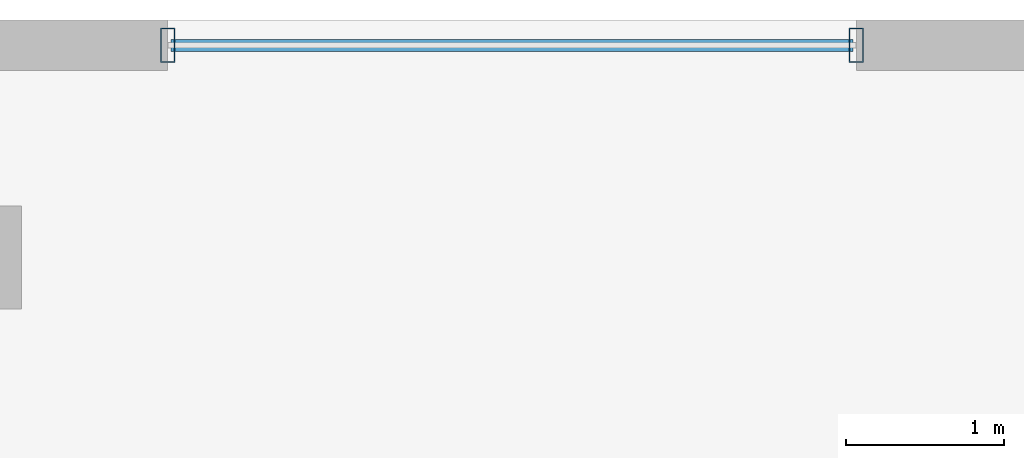
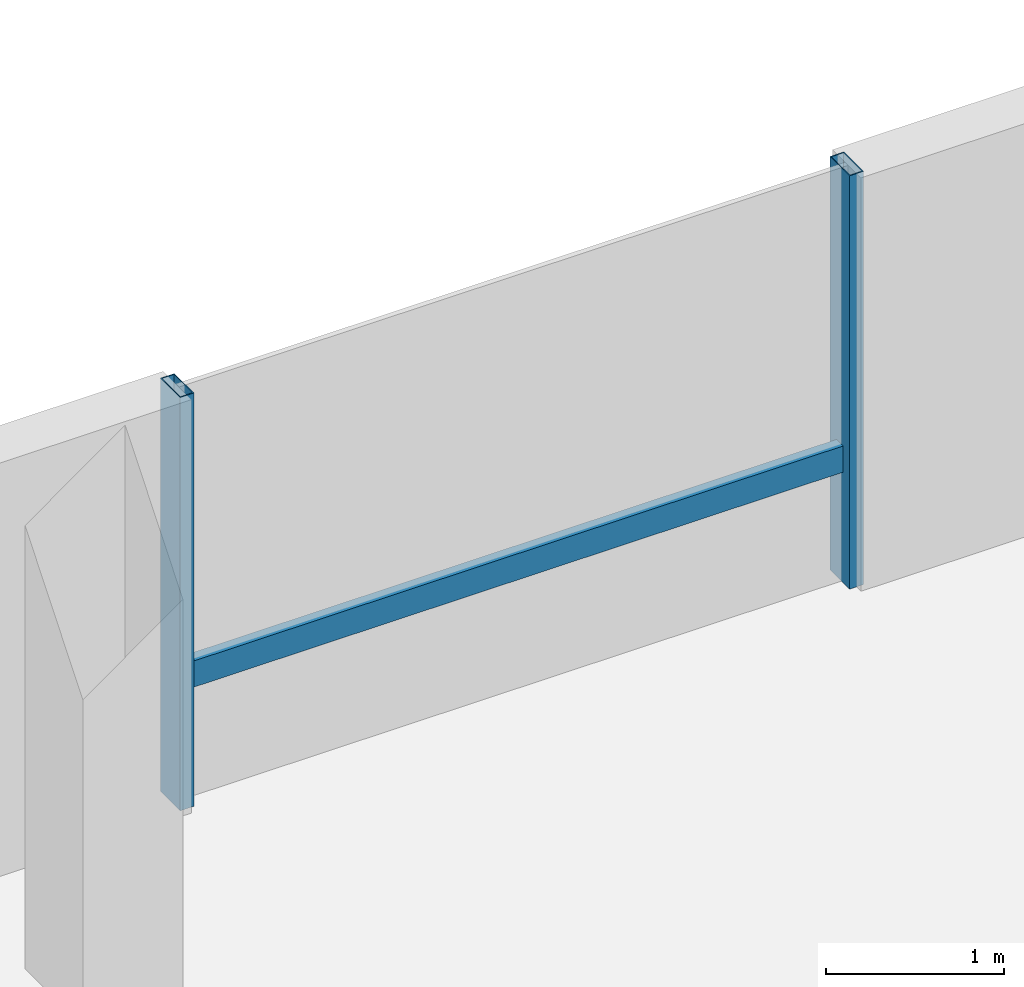
# One storey, part 10 of 25: 3 members, 1 element without a shape of its own.
"""IFC4 building model written with IfcOpenShell, lengths in metres."""

from ifc_helpers import new_model, si_unit, direction, frame, origin, origin_2d, place, context, subcontext, project, spatial, hollow_rectangle, extrude, material, material_profile, profile_set, type_object, element, aggregate, save


model = new_model("IFC4")

# Units and contexts
model_context = context("Model", 3, precision=1e-05, world=origin(), true_north=direction((0.0, 1.0)))
body_context = subcontext(model_context, "Body", "Model", "MODEL_VIEW")
ifc_project = project(units=[si_unit("LENGTHUNIT", "METRE"), si_unit("AREAUNIT", "SQUARE_METRE"), si_unit("VOLUMEUNIT", "CUBIC_METRE"), si_unit("PLANEANGLEUNIT", "RADIAN"), si_unit("MASSUNIT", "GRAM", prefix="KILO")], contexts=[model_context])

# Site, building, storey
site_placement = place(None, origin())
site = spatial("IfcSite", under=ifc_project, at=site_placement, CompositionType="ELEMENT")
building_placement = place(site_placement, origin())
building = spatial("IfcBuilding", under=site, at=building_placement, Name="Thornwick Lancets Civic Towers", CompositionType="ELEMENT")
storey_placement = place(building_placement, frame((0.0, 0.0, 23.10009765625)))
storey = spatial("IfcBuildingStorey", under=building, at=storey_placement, Name="L05", CompositionType="ELEMENT", Elevation=23.10009765625)

# Curtain wall, members
ifc_material_1 = material(Name="Terracotta-trimmed cascading podium ribbon curtain wall", Category="masonry")
curtain_wall_type = type_object("IfcCurtainWallType", Name="CW_SYS_02", PredefinedType="NOTDEFINED", material=ifc_material_1)
curtain_wall_placement = place(storey_placement, origin())
curtain_wall = element("IfcCurtainWall", 1, at=curtain_wall_placement, inside=storey, type_object=curtain_wall_type, Name="L05 Curtain Wall CW-L05-POD-NC-S1", PredefinedType="NOTDEFINED")
ifc_material_2 = material(Name="Thermally broken bronze aluminium S355", Category="steel")
ifc_material_profile_1 = material_profile(ifc_material_2, hollow_rectangle(XDim=0.090087890625, YDim=0.219970703125, WallThickness=0.00634765625, at=origin_2d()), Name="RHS 220x90x6.3")
ifc_profile_set_1 = profile_set([ifc_material_profile_1], Name="Thermally broken bronze aluminium S355")
member_type_1 = type_object("IfcMemberType", Name="CW_MUL_220", PredefinedType="MULLION", material=ifc_profile_set_1)
member_1_placement = place(storey_placement, frame((71.60009765625, 49.340087890625, 0.0), z_axis=(0.0, 0.0, 1.0), x_axis=(1.0, 0.0, 0.0)))
member_1 = element("IfcMember", 2, at=member_1_placement, type_object=member_type_1, Name="CW-L05-POD-NC-S1 Mullion 0", PredefinedType="MULLION", context=body_context, shape_type="SweptSolid", body=[
    extrude(hollow_rectangle(XDim=0.090087890625, YDim=0.219970703125, WallThickness=0.00634765625, at=origin_2d()), origin(), (0.0, 0.0, 1.0), 2.83984375),
])
member_2_placement = place(storey_placement, frame((67.25, 49.340087890625, 0.0), z_axis=(0.0, 0.0, 1.0), x_axis=(1.0, 0.0, 0.0)))
member_2 = element("IfcMember", 3, at=member_2_placement, type_object=member_type_1, Name="CW-L05-POD-NC-S1 Mullion 1", PredefinedType="MULLION", context=body_context, shape_type="SweptSolid", body=[
    extrude(hollow_rectangle(XDim=0.090087890625, YDim=0.219970703125, WallThickness=0.00634765625, at=origin_2d()), origin(), (0.0, 0.0, 1.0), 2.83984375),
])
ifc_material_profile_2 = material_profile(ifc_material_2, hollow_rectangle(XDim=0.074951171875, YDim=0.179931640625, WallThickness=0.006103515625, at=origin_2d()), Name="RHS 180x75x6")
ifc_profile_set_2 = profile_set([ifc_material_profile_2], Name="Thermally broken bronze aluminium S355")
member_type_2 = type_object("IfcMemberType", Name="CW_TRN_180", PredefinedType="USERDEFINED", material=ifc_profile_set_2)
member_3_placement = place(storey_placement, frame((71.580078125, 49.340087890625, 0.849853515625), z_axis=(-1.0, 0.0, 0.0), x_axis=(0.0, -1.0, 0.0)))
member_3 = element("IfcMember", 4, at=member_3_placement, type_object=member_type_2, Name="CW-L05-POD-NC-S1 Transom 0", ObjectType="TRANSOM", PredefinedType="USERDEFINED", context=body_context, shape_type="SweptSolid", body=[
    extrude(hollow_rectangle(XDim=0.074951171875, YDim=0.179931640625, WallThickness=0.006103515625, at=origin_2d()), origin(), (0.0, 0.0, 1.0), 4.31005859375),
])
aggregate(curtain_wall, [member_1, member_2, member_3])

save(model, "model.ifc")
